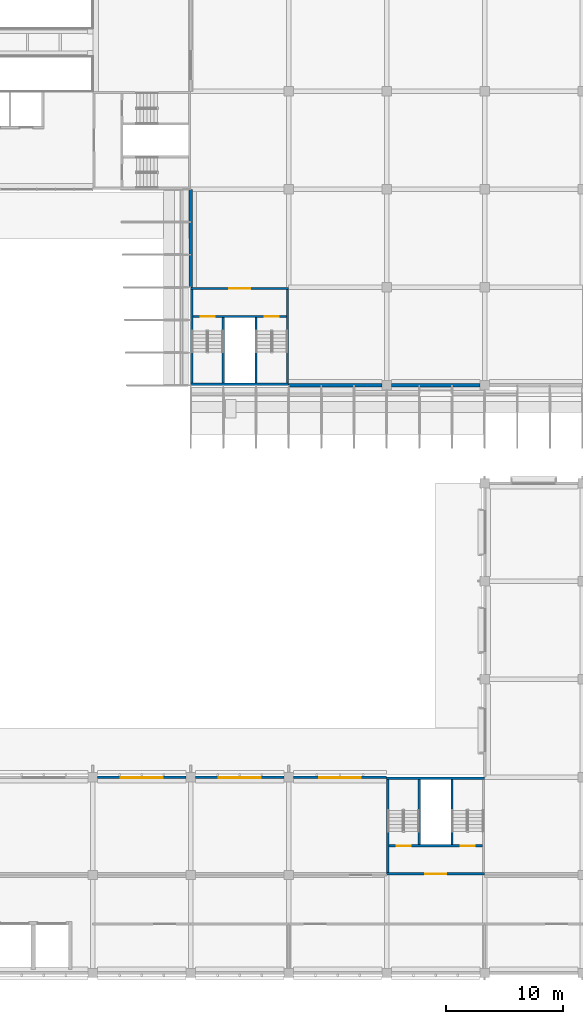
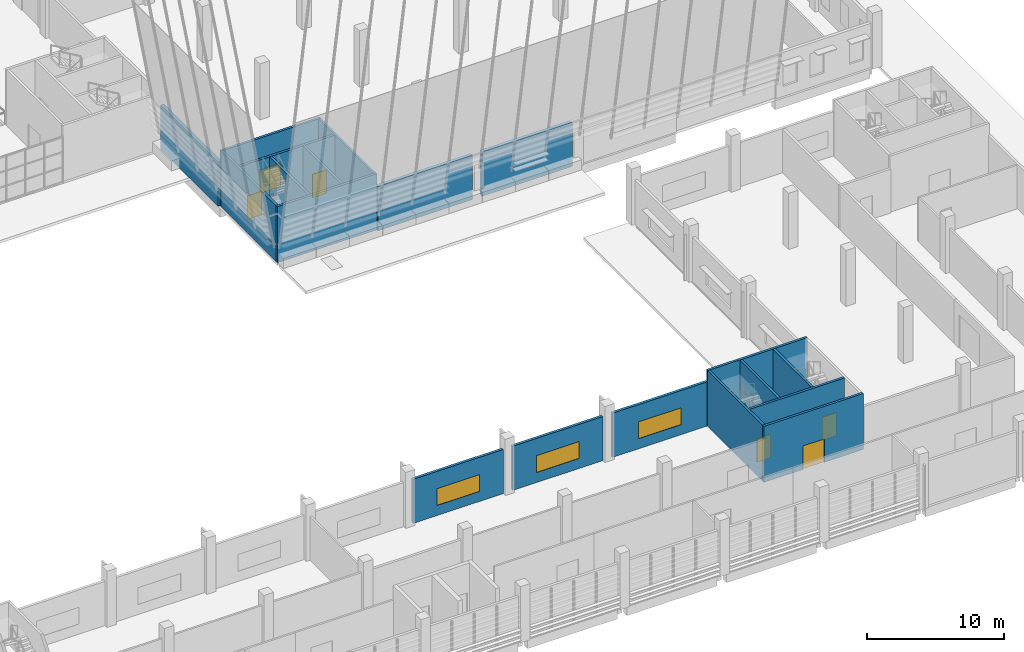
# One storey, part 33 of 101: 19 walls, 6 doors, 3 windows, 9 openings.
"""IFC4 building model written with IfcOpenShell, lengths in metres."""

from ifc_helpers import new_model, si_unit, direction, frame, frame_2d, origin, place, context, subcontext, project, spatial, rectangle, extrude, material, layer, layer_set, type_object, element, fill, save


model = new_model("IFC4")

# Units and contexts
model_context = context("Model", 3, precision=1e-05, world=origin(), true_north=direction((0.0, 1.0)))
body_context = subcontext(model_context, "Body", "Model", "MODEL_VIEW")
ifc_project = project(units=[si_unit("LENGTHUNIT", "METRE"), si_unit("AREAUNIT", "SQUARE_METRE"), si_unit("VOLUMEUNIT", "CUBIC_METRE"), si_unit("PLANEANGLEUNIT", "RADIAN"), si_unit("MASSUNIT", "GRAM", prefix="KILO")], contexts=[model_context])

# Site, building, storey
site_placement = place(None, origin())
site = spatial("IfcSite", under=ifc_project, at=site_placement, CompositionType="ELEMENT")
building_placement = place(site_placement, origin())
building = spatial("IfcBuilding", under=site, at=building_placement, Name="Almond Square Museum", CompositionType="ELEMENT")
storey_placement = place(building_placement, frame((0.0, 0.0, 5.5)))
storey = spatial("IfcBuildingStorey", under=building, at=storey_placement, Name="L01", CompositionType="ELEMENT", Elevation=5.5)

# Walls
ifc_material_1 = material(Name="Concrete C30/37", Category="concrete")
ifc_layer_1 = layer(ifc_material_1, 0.300048828125)
ifc_layer_set_1 = layer_set([ifc_layer_1], Name="Concrete C30/37")
wall_type_1 = type_object("IfcWallType", Name="Cast concrete wall 300 C30/37 behind louvre skin", PredefinedType="SOLIDWALL", material=ifc_layer_set_1)
wall_1_placement = place(storey_placement, frame((115.199951171875, 50.39990234375, 0.0), z_axis=(0.0, 0.0, 1.0), x_axis=(1.0, 0.0, 0.0)))
element("IfcWall", 1, at=wall_1_placement, inside=storey, type_object=wall_type_1, Name="External wall W1 V1 L01 S01", PredefinedType="SOLIDWALL", context=body_context, shape_type="SweptSolid", body=[
    extrude(rectangle(XDim=8.0, YDim=0.300048828125, at=frame_2d((4.0, 0.0))), origin(), (0.0, 0.0, 1.0), 3.93994140625),
])
wall_2_placement = place(storey_placement, frame((124.0, 50.39990234375, 0.0), z_axis=(0.0, 0.0, 1.0), x_axis=(1.0, 0.0, 0.0)))
element("IfcWall", 2, at=wall_2_placement, inside=storey, type_object=wall_type_1, Name="External wall W1 V1 L01 S02", PredefinedType="SOLIDWALL", context=body_context, shape_type="SweptSolid", body=[
    extrude(rectangle(XDim=7.60009765625, YDim=0.300048828125, at=frame_2d((3.800048828125, 0.0))), origin(), (0.0, 0.0, 1.0), 3.93994140625),
])
wall_3_placement = place(storey_placement, frame((106.800048828125, 58.800048828125, 0.0), z_axis=(0.0, 0.0, 1.0), x_axis=(0.0, 1.0, 0.0)))
element("IfcWall", 3, at=wall_3_placement, inside=storey, type_object=wall_type_1, Name="External wall W1 V1 L01 W01", PredefinedType="SOLIDWALL", context=body_context, shape_type="SweptSolid", body=[
    extrude(rectangle(XDim=8.39990234375, YDim=0.300048828125, at=frame_2d((4.199951171875, 0.0))), origin(), (0.0, 0.0, 1.0), 3.93994140625),
])
ifc_material_2 = material(Name="Concrete C40/50", Category="concrete")
ifc_layer_2 = layer(ifc_material_2, 0.199951171875)
ifc_layer_set_2 = layer_set([ifc_layer_2], Name="Concrete C40/50")
wall_type_2 = type_object("IfcWallType", Name="RC shear wall 200 C40/50", PredefinedType="SHEAR", material=ifc_layer_set_2)
wall_4_placement = place(storey_placement, frame((106.800048828125, 50.5, 0.0), z_axis=(0.0, 0.0, 1.0), x_axis=(1.0, 0.0, 0.0)))
element("IfcWall", 4, at=wall_4_placement, inside=storey, type_object=wall_type_2, Name="Core H1 south wall L01", PredefinedType="SHEAR", context=body_context, shape_type="SweptSolid", body=[
    extrude(rectangle(XDim=8.39990234375, YDim=0.199951171875, at=frame_2d((4.199951171875, 0.0))), origin(), (0.0, 0.0, 1.0), 5.0),
])

# Wall, opening, door
wall_5_placement = place(storey_placement, frame((106.800048828125, 58.699951171875, 0.0), z_axis=(0.0, 0.0, 1.0), x_axis=(1.0, 0.0, 0.0)))
wall_5 = element("IfcWall", 5, at=wall_5_placement, inside=storey, type_object=wall_type_2, Name="Core H1 north wall L01", PredefinedType="SHEAR", context=body_context, shape_type="SweptSolid", body=[
    extrude(rectangle(XDim=8.39990234375, YDim=0.199951171875, at=frame_2d((4.199951171875, 0.0))), origin(), (0.0, 0.0, 1.0), 5.0),
])
opening_1_placement = place(wall_5_placement, frame((3.300048828125, 0.0, 0.0)))
opening_1 = element("IfcOpeningElement", 6, at=opening_1_placement, cuts=wall_5, Name="Opening D1151", PredefinedType="OPENING", context=body_context, shape_type="SweptSolid", body=[
    extrude(rectangle(XDim=1.800048828125, YDim=2.10009765625, at=frame_2d((0.89990234375, 1.050048828125))), frame((0.0, 0.10986328125, 0.0), z_axis=(0.0, -1.0, 0.0), x_axis=(1.0, 0.0, 0.0)), (0.0, 0.0, 1.0), 0.219970703125),
])
ifc_material_3 = material(Name="Steel", Category="steel")
door_type_1 = type_object("IfcDoorType", Name="Fire door 1800 x 2100 FD60 double", OperationType="NOTDEFINED", PredefinedType="DOOR", material=ifc_material_3)
door_1_placement = place(opening_1_placement, origin())
door_1 = element("IfcDoor", 7, at=door_1_placement, inside=storey, type_object=door_type_1, Name="L01 stair core H1 lobby door", OperationType="DOUBLE_DOOR_SINGLE_SWING", OverallHeight=2.10009765625, OverallWidth=1.800048828125, PredefinedType="DOOR", context=body_context, shape_type="SweptSolid", body=[
    extrude(rectangle(XDim=1.800048828125, YDim=2.10009765625, at=frame_2d((0.89990234375, 1.050048828125))), frame((0.0, 0.02490234375, 0.0), z_axis=(0.0, -1.0, 0.0), x_axis=(1.0, 0.0, 0.0)), (0.0, 0.0, 1.0), 0.050048828125),
])
fill(opening_1, door_1)

# Walls
for number, where, z_axis, x_axis, name in (
    (8, (106.89990234375, 50.60009765625, 0.0), (0.0, 0.0, 1.0), (0.0, 1.0, 0.0), "Core H1 west wall L01"),
    (9, (115.10009765625, 50.60009765625, 0.0), (0.0, 0.0, 1.0), (0.0, 1.0, 0.0), "Core H1 east wall L01"),
):
    element("IfcWall", number, at=place(storey_placement, frame(where, z_axis=z_axis, x_axis=x_axis)), inside=storey, type_object=wall_type_2, Name=name, PredefinedType="SHEAR", context=body_context, shape_type="SweptSolid", body=[
        extrude(rectangle(XDim=8.0, YDim=0.199951171875, at=frame_2d((4.0, 0.0))), origin(), (0.0, 0.0, 1.0), 5.0),
    ])

# Wall, openings, doors
wall_6_placement = place(storey_placement, frame((107.0, 56.300048828125, 0.0), z_axis=(0.0, 0.0, 1.0), x_axis=(1.0, 0.0, 0.0)))
wall_6 = element("IfcWall", 10, at=wall_6_placement, inside=storey, type_object=wall_type_2, Name="Core H1 lobby wall L01", PredefinedType="SHEAR", context=body_context, shape_type="SweptSolid", body=[
    extrude(rectangle(XDim=8.0, YDim=0.199951171875, at=frame_2d((4.0, 0.0))), origin(), (0.0, 0.0, 1.0), 5.0),
])
opening_2_placement = place(wall_6_placement, frame((0.64990234375, 0.0, 0.0)))
opening_2 = element("IfcOpeningElement", 11, at=opening_2_placement, cuts=wall_6, Name="Opening D1152", PredefinedType="OPENING", context=body_context, shape_type="SweptSolid", body=[
    extrude(rectangle(XDim=1.199951171875, YDim=2.10009765625, at=frame_2d((0.60009765625, 1.050048828125))), frame((0.0, 0.10986328125, 0.0), z_axis=(0.0, -1.0, 0.0), x_axis=(1.0, 0.0, 0.0)), (0.0, 0.0, 1.0), 0.219970703125),
])
opening_3_placement = place(wall_6_placement, frame((6.14990234375, 0.0, 0.0)))
opening_3 = element("IfcOpeningElement", 12, at=opening_3_placement, cuts=wall_6, Name="Opening D1153", PredefinedType="OPENING", context=body_context, shape_type="SweptSolid", body=[
    extrude(rectangle(XDim=1.199951171875, YDim=2.10009765625, at=frame_2d((0.60009765625, 1.050048828125))), frame((0.0, 0.10986328125, 0.0), z_axis=(0.0, -1.0, 0.0), x_axis=(1.0, 0.0, 0.0)), (0.0, 0.0, 1.0), 0.219970703125),
])
ifc_material_4 = material(Name="Steel", Category="steel")
door_type_2 = type_object("IfcDoorType", Name="Fire door 1200 x 2100 FD120 stair", OperationType="NOTDEFINED", PredefinedType="DOOR", material=ifc_material_4)
door_2_placement = place(opening_2_placement, origin())
door_2 = element("IfcDoor", 13, at=door_2_placement, inside=storey, type_object=door_type_2, Name="L01 stair H1-1 door", OperationType="SINGLE_SWING_LEFT", OverallHeight=2.10009765625, OverallWidth=1.199951171875, PredefinedType="DOOR", context=body_context, shape_type="SweptSolid", body=[
    extrude(rectangle(XDim=1.199951171875, YDim=2.10009765625, at=frame_2d((0.60009765625, 1.050048828125))), frame((0.0, 0.02490234375, 0.0), z_axis=(0.0, -1.0, 0.0), x_axis=(1.0, 0.0, 0.0)), (0.0, 0.0, 1.0), 0.050048828125),
])
fill(opening_2, door_2)
door_3_placement = place(opening_3_placement, origin())
door_3 = element("IfcDoor", 14, at=door_3_placement, inside=storey, type_object=door_type_2, Name="L01 stair H1-2 door", OperationType="SINGLE_SWING_RIGHT", OverallHeight=2.10009765625, OverallWidth=1.199951171875, PredefinedType="DOOR", context=body_context, shape_type="SweptSolid", body=[
    extrude(rectangle(XDim=1.199951171875, YDim=2.10009765625, at=frame_2d((0.60009765625, 1.050048828125))), frame((0.0, 0.02490234375, 0.0), z_axis=(0.0, -1.0, 0.0), x_axis=(1.0, 0.0, 0.0)), (0.0, 0.0, 1.0), 0.050048828125),
])
fill(opening_3, door_3)

# Walls
for number, where, z_axis, x_axis, name in (
    (15, (109.60009765625, 50.60009765625, 0.0), (0.0, 0.0, 1.0), (0.0, 1.0, 0.0), "Core H1 partition wall L01"),
    (16, (112.39990234375, 50.60009765625, 0.0), (0.0, 0.0, 1.0), (0.0, 1.0, 0.0), "Core H1 partition wall L01"),
):
    element("IfcWall", number, at=place(storey_placement, frame(where, z_axis=z_axis, x_axis=x_axis)), inside=storey, type_object=wall_type_2, Name=name, PredefinedType="SHEAR", context=body_context, shape_type="SweptSolid", body=[
        extrude(rectangle(XDim=5.599853515625, YDim=0.199951171875, at=frame_2d((2.7998046875, 0.0))), origin(), (0.0, 0.0, 1.0), 5.0),
    ])

# Wall, opening, door
wall_7_placement = place(storey_placement, frame((123.60009765625, 8.5, 0.0), z_axis=(0.0, 0.0, 1.0), x_axis=(1.0, 0.0, 0.0)))
wall_7 = element("IfcWall", 17, at=wall_7_placement, inside=storey, type_object=wall_type_2, Name="Core S3 south wall L01", PredefinedType="SHEAR", context=body_context, shape_type="SweptSolid", body=[
    extrude(rectangle(XDim=8.39990234375, YDim=0.199951171875, at=frame_2d((4.199951171875, 0.0))), origin(), (0.0, 0.0, 1.0), 5.0),
])
opening_4_placement = place(wall_7_placement, frame((3.300048828125, 0.0, 0.0)))
opening_4 = element("IfcOpeningElement", 18, at=opening_4_placement, cuts=wall_7, Name="Opening D1204", PredefinedType="OPENING", context=body_context, shape_type="SweptSolid", body=[
    extrude(rectangle(XDim=1.800048828125, YDim=2.10009765625, at=frame_2d((0.89990234375, 1.050048828125))), frame((0.0, 0.10986328125, 0.0), z_axis=(0.0, -1.0, 0.0), x_axis=(1.0, 0.0, 0.0)), (0.0, 0.0, 1.0), 0.219970703125),
])
door_4_placement = place(opening_4_placement, origin())
door_4 = element("IfcDoor", 19, at=door_4_placement, inside=storey, type_object=door_type_1, Name="L01 stair core S3 lobby door", OperationType="DOUBLE_DOOR_SINGLE_SWING", OverallHeight=2.10009765625, OverallWidth=1.800048828125, PredefinedType="DOOR", context=body_context, shape_type="SweptSolid", body=[
    extrude(rectangle(XDim=1.800048828125, YDim=2.10009765625, at=frame_2d((0.89990234375, 1.050048828125))), frame((0.0, 0.02490234375, 0.0), z_axis=(0.0, -1.0, 0.0), x_axis=(1.0, 0.0, 0.0)), (0.0, 0.0, 1.0), 0.050048828125),
])
fill(opening_4, door_4)

# Walls
wall_8_placement = place(storey_placement, frame((123.60009765625, 16.699951171875, 0.0), z_axis=(0.0, 0.0, 1.0), x_axis=(1.0, 0.0, 0.0)))
element("IfcWall", 20, at=wall_8_placement, inside=storey, type_object=wall_type_2, Name="Core S3 north wall L01", PredefinedType="SHEAR", context=body_context, shape_type="SweptSolid", body=[
    extrude(rectangle(XDim=8.39990234375, YDim=0.199951171875, at=frame_2d((4.199951171875, 0.0))), origin(), (0.0, 0.0, 1.0), 5.0),
])
wall_9_placement = place(storey_placement, frame((123.699951171875, 8.60009765625, 0.0), z_axis=(0.0, 0.0, 1.0), x_axis=(0.0, 1.0, 0.0)))
element("IfcWall", 21, at=wall_9_placement, inside=storey, type_object=wall_type_2, Name="Core S3 west wall L01", PredefinedType="SHEAR", context=body_context, shape_type="SweptSolid", body=[
    extrude(rectangle(XDim=8.0, YDim=0.199951171875, at=frame_2d((4.0, 0.0))), origin(), (0.0, 0.0, 1.0), 5.0),
])

# Wall, openings, doors
wall_10_placement = place(storey_placement, frame((123.800048828125, 10.89990234375, 0.0), z_axis=(0.0, 0.0, 1.0), x_axis=(1.0, 0.0, 0.0)))
wall_10 = element("IfcWall", 22, at=wall_10_placement, inside=storey, type_object=wall_type_2, Name="Core S3 lobby wall L01", PredefinedType="SHEAR", context=body_context, shape_type="SweptSolid", body=[
    extrude(rectangle(XDim=8.0, YDim=0.199951171875, at=frame_2d((4.0, 0.0))), origin(), (0.0, 0.0, 1.0), 5.0),
])
opening_5_placement = place(wall_10_placement, frame((0.64990234375, 0.0, 0.0)))
opening_5 = element("IfcOpeningElement", 23, at=opening_5_placement, cuts=wall_10, Name="Opening D1205", PredefinedType="OPENING", context=body_context, shape_type="SweptSolid", body=[
    extrude(rectangle(XDim=1.199951171875, YDim=2.10009765625, at=frame_2d((0.60009765625, 1.050048828125))), frame((0.0, 0.10986328125, 0.0), z_axis=(0.0, -1.0, 0.0), x_axis=(1.0, 0.0, 0.0)), (0.0, 0.0, 1.0), 0.219970703125),
])
opening_6_placement = place(wall_10_placement, frame((6.14990234375, 0.0, 0.0)))
opening_6 = element("IfcOpeningElement", 24, at=opening_6_placement, cuts=wall_10, Name="Opening D1206", PredefinedType="OPENING", context=body_context, shape_type="SweptSolid", body=[
    extrude(rectangle(XDim=1.199951171875, YDim=2.10009765625, at=frame_2d((0.60009765625, 1.050048828125))), frame((0.0, 0.10986328125, 0.0), z_axis=(0.0, -1.0, 0.0), x_axis=(1.0, 0.0, 0.0)), (0.0, 0.0, 1.0), 0.219970703125),
])
door_5_placement = place(opening_5_placement, origin())
door_5 = element("IfcDoor", 25, at=door_5_placement, inside=storey, type_object=door_type_2, Name="L01 stair S3-1 door", OperationType="SINGLE_SWING_LEFT", OverallHeight=2.10009765625, OverallWidth=1.199951171875, PredefinedType="DOOR", context=body_context, shape_type="SweptSolid", body=[
    extrude(rectangle(XDim=1.199951171875, YDim=2.10009765625, at=frame_2d((0.60009765625, 1.050048828125))), frame((0.0, 0.02490234375, 0.0), z_axis=(0.0, -1.0, 0.0), x_axis=(1.0, 0.0, 0.0)), (0.0, 0.0, 1.0), 0.050048828125),
])
fill(opening_5, door_5)
door_6_placement = place(opening_6_placement, origin())
door_6 = element("IfcDoor", 26, at=door_6_placement, inside=storey, type_object=door_type_2, Name="L01 stair S3-2 door", OperationType="SINGLE_SWING_RIGHT", OverallHeight=2.10009765625, OverallWidth=1.199951171875, PredefinedType="DOOR", context=body_context, shape_type="SweptSolid", body=[
    extrude(rectangle(XDim=1.199951171875, YDim=2.10009765625, at=frame_2d((0.60009765625, 1.050048828125))), frame((0.0, 0.02490234375, 0.0), z_axis=(0.0, -1.0, 0.0), x_axis=(1.0, 0.0, 0.0)), (0.0, 0.0, 1.0), 0.050048828125),
])
fill(opening_6, door_6)

# Walls
for number, where, z_axis, x_axis, name in (
    (27, (126.39990234375, 11.0, 0.0), (0.0, 0.0, 1.0), (0.0, 1.0, 0.0), "Core S3 partition wall L01"),
    (28, (129.199951171875, 11.0, 0.0), (0.0, 0.0, 1.0), (0.0, 1.0, 0.0), "Core S3 partition wall L01"),
):
    element("IfcWall", number, at=place(storey_placement, frame(where, z_axis=z_axis, x_axis=x_axis)), inside=storey, type_object=wall_type_2, Name=name, PredefinedType="SHEAR", context=body_context, shape_type="SweptSolid", body=[
        extrude(rectangle(XDim=5.60009765625, YDim=0.199951171875, at=frame_2d((2.800048828125, 0.0))), origin(), (0.0, 0.0, 1.0), 5.0),
    ])

# Wall, opening, window
ifc_material_5 = material(Name="Concrete C30/37", Category="concrete")
ifc_layer_3 = layer(ifc_material_5, 0.219970703125)
ifc_layer_set_3 = layer_set([ifc_layer_3], Name="Concrete C30/37")
wall_type_3 = type_object("IfcWallType", Name="Stucco panel wall 220 with insulation", PredefinedType="SOLIDWALL", material=ifc_layer_set_3)
wall_11_placement = place(storey_placement, frame((115.60009765625, 16.800048828125, 0.0), z_axis=(0.0, 0.0, 1.0), x_axis=(1.0, 0.0, 0.0)))
wall_11 = element("IfcWall", 29, at=wall_11_placement, inside=storey, type_object=wall_type_3, Name="External wall W4 V5S L01 N01", PredefinedType="SOLIDWALL", context=body_context, shape_type="SweptSolid", body=[
    extrude(rectangle(XDim=8.0, YDim=0.219970703125, at=frame_2d((4.0, 0.0))), origin(), (0.0, 0.0, 1.0), 3.93994140625),
])
opening_7_placement = place(wall_11_placement, frame((2.199951171875, 0.0, 0.89990234375)))
opening_7 = element("IfcOpeningElement", 30, at=opening_7_placement, cuts=wall_11, Name="Opening W1006", PredefinedType="OPENING", context=body_context, shape_type="SweptSolid", body=[
    extrude(rectangle(XDim=3.60009765625, YDim=1.5, at=frame_2d((1.800048828125, 0.75))), frame((0.0, 0.119873046875, 0.0), z_axis=(0.0, -1.0, 0.0), x_axis=(1.0, 0.0, 0.0)), (0.0, 0.0, 1.0), 0.239990234375),
])
ifc_material_6 = material(Name="Aluminium frame and laminated glass", Category="aluminium")
window_type = type_object("IfcWindowType", Name="Office ribbon window", PartitioningType="SINGLE_PANEL", PredefinedType="WINDOW", material=ifc_material_6)
window_1_placement = place(opening_7_placement, origin())
window_1 = element("IfcWindow", 31, at=window_1_placement, inside=storey, type_object=window_type, Name="Office ribbon window W1006", OverallHeight=1.5, OverallWidth=3.60009765625, PartitioningType="DOUBLE_PANEL_VERTICAL", PredefinedType="WINDOW", context=body_context, shape_type="SweptSolid", body=[
    extrude(rectangle(XDim=3.60009765625, YDim=1.5, at=frame_2d((1.800048828125, 0.75))), frame((0.0, -0.030029296875, 0.0), z_axis=(0.0, -1.0, 0.0), x_axis=(1.0, 0.0, 0.0)), (0.0, 0.0, 1.0), 0.06005859375),
])
fill(opening_7, window_1)

wall_12_placement = place(storey_placement, frame((107.199951171875, 16.800048828125, 0.0), z_axis=(0.0, 0.0, 1.0), x_axis=(1.0, 0.0, 0.0)))
wall_12 = element("IfcWall", 32, at=wall_12_placement, inside=storey, type_object=wall_type_3, Name="External wall W4 V5S L01 N02", PredefinedType="SOLIDWALL", context=body_context, shape_type="SweptSolid", body=[
    extrude(rectangle(XDim=7.60009765625, YDim=0.219970703125, at=frame_2d((3.800048828125, 0.0))), origin(), (0.0, 0.0, 1.0), 3.93994140625),
])
opening_8_placement = place(wall_12_placement, frame((2.0, 0.0, 0.89990234375)))
opening_8 = element("IfcOpeningElement", 33, at=opening_8_placement, cuts=wall_12, Name="Opening W1007", PredefinedType="OPENING", context=body_context, shape_type="SweptSolid", body=[
    extrude(rectangle(XDim=3.60009765625, YDim=1.5, at=frame_2d((1.800048828125, 0.75))), frame((0.0, 0.119873046875, 0.0), z_axis=(0.0, -1.0, 0.0), x_axis=(1.0, 0.0, 0.0)), (0.0, 0.0, 1.0), 0.239990234375),
])
window_2_placement = place(opening_8_placement, origin())
window_2 = element("IfcWindow", 34, at=window_2_placement, inside=storey, type_object=window_type, Name="Office ribbon window W1007", OverallHeight=1.5, OverallWidth=3.60009765625, PartitioningType="DOUBLE_PANEL_VERTICAL", PredefinedType="WINDOW", context=body_context, shape_type="SweptSolid", body=[
    extrude(rectangle(XDim=3.60009765625, YDim=1.5, at=frame_2d((1.800048828125, 0.75))), frame((0.0, -0.030029296875, 0.0), z_axis=(0.0, -1.0, 0.0), x_axis=(1.0, 0.0, 0.0)), (0.0, 0.0, 1.0), 0.06005859375),
])
fill(opening_8, window_2)

wall_13_placement = place(storey_placement, frame((98.800048828125, 16.800048828125, 0.0), z_axis=(0.0, 0.0, 1.0), x_axis=(1.0, 0.0, 0.0)))
wall_13 = element("IfcWall", 35, at=wall_13_placement, inside=storey, type_object=wall_type_3, Name="External wall W4 V5S L01 N03", PredefinedType="SOLIDWALL", context=body_context, shape_type="SweptSolid", body=[
    extrude(rectangle(XDim=7.599853515625, YDim=0.219970703125, at=frame_2d((3.7998046875, 0.0))), origin(), (0.0, 0.0, 1.0), 3.93994140625),
])
opening_9_placement = place(wall_13_placement, frame((2.0, 0.0, 0.89990234375)))
opening_9 = element("IfcOpeningElement", 36, at=opening_9_placement, cuts=wall_13, Name="Opening W1008", PredefinedType="OPENING", context=body_context, shape_type="SweptSolid", body=[
    extrude(rectangle(XDim=3.60009765625, YDim=1.5, at=frame_2d((1.800048828125, 0.75))), frame((0.0, 0.119873046875, 0.0), z_axis=(0.0, -1.0, 0.0), x_axis=(1.0, 0.0, 0.0)), (0.0, 0.0, 1.0), 0.239990234375),
])
window_3_placement = place(opening_9_placement, origin())
window_3 = element("IfcWindow", 37, at=window_3_placement, inside=storey, type_object=window_type, Name="Office ribbon window W1008", OverallHeight=1.5, OverallWidth=3.60009765625, PartitioningType="DOUBLE_PANEL_VERTICAL", PredefinedType="WINDOW", context=body_context, shape_type="SweptSolid", body=[
    extrude(rectangle(XDim=3.60009765625, YDim=1.5, at=frame_2d((1.800048828125, 0.75))), frame((0.0, -0.030029296875, 0.0), z_axis=(0.0, -1.0, 0.0), x_axis=(1.0, 0.0, 0.0)), (0.0, 0.0, 1.0), 0.06005859375),
])
fill(opening_9, window_3)

save(model, "model.ifc")
